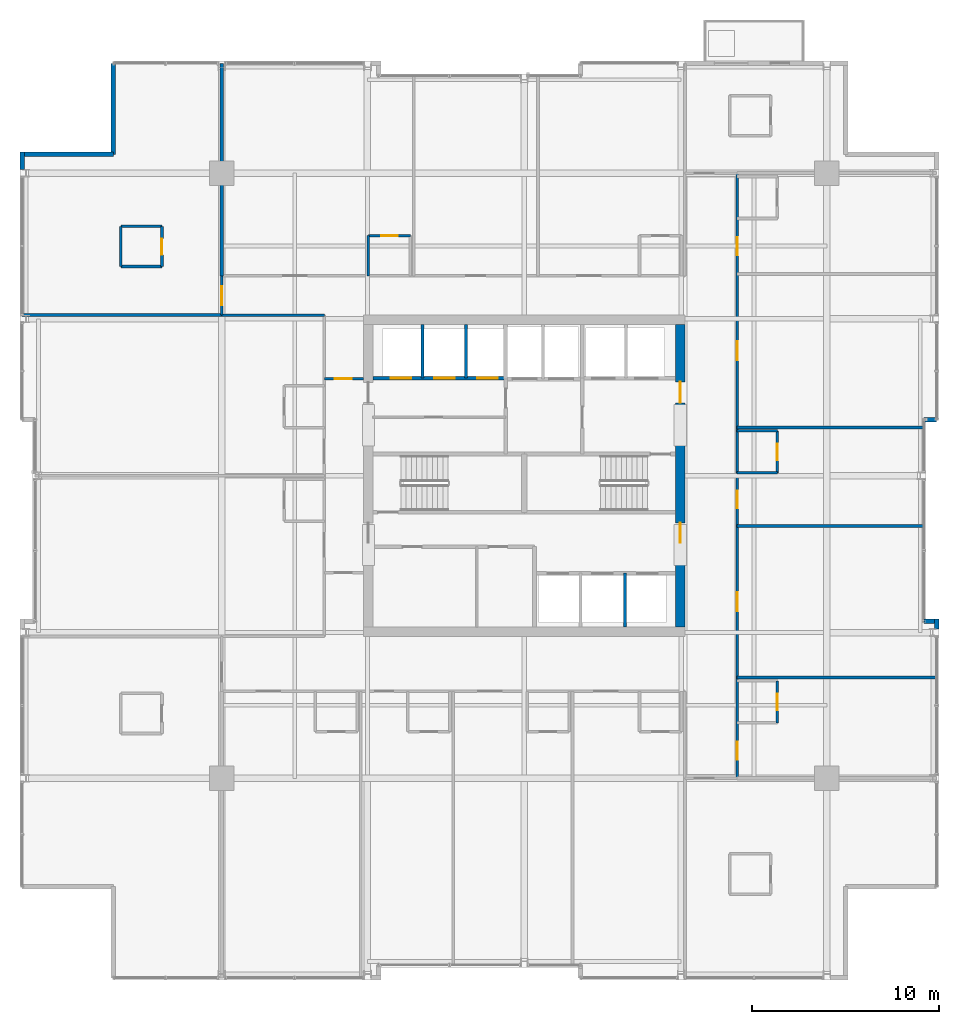
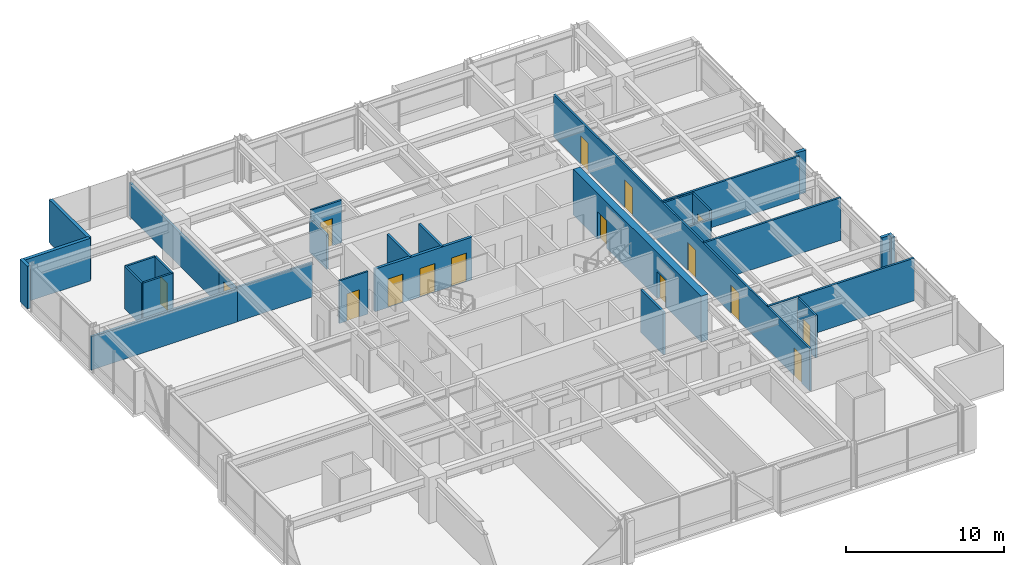
# One storey, part 29 of 34: 30 walls, 16 doors, 16 openings.
"""IFC4 building model written with IfcOpenShell, lengths in metres."""

from ifc_helpers import new_model, si_unit, direction, frame, frame_2d, origin, place, context, subcontext, project, spatial, rectangle, extrude, material, layer, layer_set, type_object, element, fill, save


model = new_model("IFC4")

# Units and contexts
model_context = context("Model", 3, precision=1e-05, world=origin(), true_north=direction((0.0, 1.0)))
body_context = subcontext(model_context, "Body", "Model", "MODEL_VIEW")
ifc_project = project(units=[si_unit("LENGTHUNIT", "METRE"), si_unit("AREAUNIT", "SQUARE_METRE"), si_unit("VOLUMEUNIT", "CUBIC_METRE"), si_unit("PLANEANGLEUNIT", "RADIAN"), si_unit("MASSUNIT", "GRAM", prefix="KILO")], contexts=[model_context])

# Site, building, storey
site_placement = place(None, origin())
site = spatial("IfcSite", under=ifc_project, at=site_placement, CompositionType="ELEMENT")
building_placement = place(site_placement, origin())
building = spatial("IfcBuilding", under=site, at=building_placement, Name="Drelvath Grand Hotel", CompositionType="ELEMENT")
storey_placement = place(building_placement, frame((0.0, 0.0, 175.25)))
storey = spatial("IfcBuildingStorey", under=building, at=storey_placement, Name="L45", CompositionType="ELEMENT", Elevation=175.25)

# Wall, openings, doors
ifc_material_1 = material(Name="Concrete C40/50", Category="concrete")
ifc_layer_1 = layer(ifc_material_1, 0.199951171875)
ifc_layer_set_1 = layer_set([ifc_layer_1], Name="Concrete C40/50")
wall_type_1 = type_object("IfcWallType", Name="Core Hoistway Fire Wall 200", PredefinedType="SOLIDWALL", material=ifc_layer_set_1)
wall_1_placement = place(storey_placement, frame((-8.10009765625, 32.219970703125, 0.0), z_axis=(0.0, 0.0, 1.0), x_axis=(1.0, 0.0, 0.0)))
wall_1 = element("IfcWall", 1, at=wall_1_placement, inside=storey, type_object=wall_type_1, Name="L45 Bank 3 Hoistway Wall", PredefinedType="SOLIDWALL", context=body_context, shape_type="SweptSolid", body=[
    extrude(rectangle(XDim=7.10009765625, YDim=0.199951171875, at=frame_2d((3.550048828125, 0.0))), origin(), (0.0, 0.0, 1.0), 3.2900390625),
])
opening_1_placement = place(wall_1_placement, frame((0.949951171875, 0.0, 0.0)))
opening_1 = element("IfcOpeningElement", 2, at=opening_1_placement, cuts=wall_1, Name="Opening LD-PE-7", PredefinedType="OPENING", context=body_context, shape_type="SweptSolid", body=[
    extrude(rectangle(XDim=1.10009765625, YDim=2.199951171875, at=frame_2d((0.550048828125, 1.10009765625))), frame((0.0, 0.10986328125, 0.0), z_axis=(0.0, -1.0, 0.0), x_axis=(1.0, 0.0, 0.0)), (0.0, 0.0, 1.0), 0.219970703125),
])
opening_2_placement = place(wall_1_placement, frame((3.27001953125, 0.0, 0.0)))
opening_2 = element("IfcOpeningElement", 3, at=opening_2_placement, cuts=wall_1, Name="Opening LD-PE-8", PredefinedType="OPENING", context=body_context, shape_type="SweptSolid", body=[
    extrude(rectangle(XDim=1.10009765625, YDim=2.199951171875, at=frame_2d((0.550048828125, 1.10009765625))), frame((0.0, 0.10986328125, 0.0), z_axis=(0.0, -1.0, 0.0), x_axis=(1.0, 0.0, 0.0)), (0.0, 0.0, 1.0), 0.219970703125),
])
opening_3_placement = place(wall_1_placement, frame((5.590087890625, 0.0, 0.0)))
opening_3 = element("IfcOpeningElement", 4, at=opening_3_placement, cuts=wall_1, Name="Opening LD-PE-9", PredefinedType="OPENING", context=body_context, shape_type="SweptSolid", body=[
    extrude(rectangle(XDim=1.10009765625, YDim=2.199951171875, at=frame_2d((0.550048828125, 1.10009765625))), frame((0.0, 0.10986328125, 0.0), z_axis=(0.0, -1.0, 0.0), x_axis=(1.0, 0.0, 0.0)), (0.0, 0.0, 1.0), 0.219970703125),
])
ifc_material_2 = material(Name="Stainless Steel S355", Category="steel")
door_type_1 = type_object("IfcDoorType", Name="Passenger Lift Sliding Landing Door 1100x2200", OperationType="NOTDEFINED", PredefinedType="DOOR", material=ifc_material_2)
door_1_placement = place(opening_1_placement, origin())
door_1 = element("IfcDoor", 5, at=door_1_placement, inside=storey, type_object=door_type_1, Name="L45 Lift PE-7 Landing Door", OperationType="SLIDING_TO_LEFT", OverallHeight=2.199951171875, OverallWidth=1.10009765625, PredefinedType="DOOR", context=body_context, shape_type="SweptSolid", body=[
    extrude(rectangle(XDim=1.10009765625, YDim=2.199951171875, at=frame_2d((0.550048828125, 1.10009765625))), frame((0.0, 0.02490234375, 0.0), z_axis=(0.0, -1.0, 0.0), x_axis=(1.0, 0.0, 0.0)), (0.0, 0.0, 1.0), 0.050048828125),
])
fill(opening_1, door_1)
door_2_placement = place(opening_2_placement, origin())
door_2 = element("IfcDoor", 6, at=door_2_placement, inside=storey, type_object=door_type_1, Name="L45 Lift PE-8 Landing Door", OperationType="SLIDING_TO_LEFT", OverallHeight=2.199951171875, OverallWidth=1.10009765625, PredefinedType="DOOR", context=body_context, shape_type="SweptSolid", body=[
    extrude(rectangle(XDim=1.10009765625, YDim=2.199951171875, at=frame_2d((0.550048828125, 1.10009765625))), frame((0.0, 0.02490234375, 0.0), z_axis=(0.0, -1.0, 0.0), x_axis=(1.0, 0.0, 0.0)), (0.0, 0.0, 1.0), 0.050048828125),
])
fill(opening_2, door_2)
door_3_placement = place(opening_3_placement, origin())
door_3 = element("IfcDoor", 7, at=door_3_placement, inside=storey, type_object=door_type_1, Name="L45 Lift PE-9 Landing Door", OperationType="SLIDING_TO_LEFT", OverallHeight=2.199951171875, OverallWidth=1.10009765625, PredefinedType="DOOR", context=body_context, shape_type="SweptSolid", body=[
    extrude(rectangle(XDim=1.10009765625, YDim=2.199951171875, at=frame_2d((0.550048828125, 1.10009765625))), frame((0.0, 0.02490234375, 0.0), z_axis=(0.0, -1.0, 0.0), x_axis=(1.0, 0.0, 0.0)), (0.0, 0.0, 1.0), 0.050048828125),
])
fill(opening_3, door_3)

# Walls
ifc_material_3 = material(Name="Gypsum Fireboard Partition")
ifc_layer_2 = layer(ifc_material_3, 0.1650390625)
ifc_layer_set_2 = layer_set([ifc_layer_2], Name="Gypsum Fireboard Partition")
wall_type_2 = type_object("IfcWallType", Name="Core Shaft Partition 165", PredefinedType="PARTITIONING", material=ifc_layer_set_2)
for number, where, z_axis, x_axis, name in (
    (8, (-5.43994140625, 32.219970703125, 0.0), (0.0, 0.0, 1.0), (0.0, 1.0, 0.0), "L45 Lift PE-7/8 Divider"),
    (9, (-3.1201171875, 32.219970703125, 0.0), (0.0, 0.0, 1.0), (0.0, 1.0, 0.0), "L45 Lift PE-8/9 Divider"),
    (10, (5.39990234375, 18.89990234375, 0.0), (0.0, 0.0, 1.0), (0.0, 1.0, 0.0), "L45 Lift PE-5/6 Divider"),
):
    element("IfcWall", number, at=place(storey_placement, frame(where, z_axis=z_axis, x_axis=x_axis)), inside=storey, type_object=wall_type_2, Name=name, PredefinedType="PARTITIONING", context=body_context, shape_type="SweptSolid", body=[
        extrude(rectangle(XDim=2.880126953125, YDim=0.1650390625, at=frame_2d((1.43994140625, 0.0))), origin(), (0.0, 0.0, 1.0), 3.2900390625),
    ])

# Wall, opening, door
ifc_layer_3 = layer(ifc_material_3, 0.135009765625)
ifc_layer_set_3 = layer_set([ifc_layer_3], Name="Gypsum Fireboard Partition")
wall_type_3 = type_object("IfcWallType", Name="Corridor Fire Barrier Wall 135", PredefinedType="PARTITIONING", material=ifc_layer_set_3)
wall_2_placement = place(storey_placement, frame((-10.699951171875, 32.199951171875, 0.0), z_axis=(0.0, 0.0, 1.0), x_axis=(1.0, 0.0, 0.0)))
wall_2 = element("IfcWall", 11, at=wall_2_placement, inside=storey, type_object=wall_type_3, Name="L45 West Foyer North Wall", PredefinedType="PARTITIONING", context=body_context, shape_type="SweptSolid", body=[
    extrude(rectangle(XDim=2.099853515625, YDim=0.135009765625, at=frame_2d((1.0498046875, 0.0))), origin(), (0.0, 0.0, 1.0), 3.2900390625),
])
opening_4_placement = place(wall_2_placement, frame((0.550048828125, 0.0, 0.0)))
opening_4 = element("IfcOpeningElement", 12, at=opening_4_placement, cuts=wall_2, Name="Opening D-T3G3-023", PredefinedType="OPENING", context=body_context, shape_type="SweptSolid", body=[
    extrude(rectangle(XDim=0.919921875, YDim=2.10009765625, at=frame_2d((0.4599609375, 1.050048828125))), frame((0.0, 0.077392578125, 0.0), z_axis=(0.0, -1.0, 0.0), x_axis=(1.0, 0.0, 0.0)), (0.0, 0.0, 1.0), 0.155029296875),
])
ifc_material_4 = material(Name="Painted Steel S275", Category="steel")
door_type_2 = type_object("IfcDoorType", Name="Staff Utility Door 920x2100", OperationType="NOTDEFINED", PredefinedType="DOOR", material=ifc_material_4)
door_4_placement = place(opening_4_placement, origin())
door_4 = element("IfcDoor", 13, at=door_4_placement, inside=storey, type_object=door_type_2, Name="L45 West Pantry Door", OperationType="SINGLE_SWING_LEFT", OverallHeight=2.10009765625, OverallWidth=0.919921875, PredefinedType="DOOR", context=body_context, shape_type="SweptSolid", body=[
    extrude(rectangle(XDim=0.919921875, YDim=2.10009765625, at=frame_2d((0.4599609375, 1.050048828125))), frame((0.0, 0.02490234375, 0.0), z_axis=(0.0, -1.0, 0.0), x_axis=(1.0, 0.0, 0.0)), (0.0, 0.0, 1.0), 0.050048828125),
])
fill(opening_4, door_4)

# Wall
wall_3_placement = place(storey_placement, frame((-16.199951171875, 35.60009765625, 0.0), z_axis=(0.0, 0.0, 1.0), x_axis=(1.0, 0.0, 0.0)))
element("IfcWall", 14, at=wall_3_placement, inside=storey, type_object=wall_type_3, Name="L45 NW Stub South Wall", PredefinedType="PARTITIONING", context=body_context, shape_type="SweptSolid", body=[
    extrude(rectangle(XDim=5.5, YDim=0.135009765625, at=frame_2d((2.75, 0.0))), origin(), (0.0, 0.0, 1.0), 2.66748046875),
])

# Wall, openings, doors
wall_4_placement = place(storey_placement, frame((11.39990234375, 10.800048828125, 0.0), z_axis=(0.0, 0.0, 1.0), x_axis=(0.0, 1.0, 0.0)))
wall_4 = element("IfcWall", 15, at=wall_4_placement, inside=storey, type_object=wall_type_3, Name="L45 East Spine Corridor Wall", PredefinedType="PARTITIONING", context=body_context, shape_type="SweptSolid", body=[
    extrude(rectangle(XDim=32.39990234375, YDim=0.135009765625, at=frame_2d((16.199951171875, 0.0))), origin(), (0.0, 0.0, 1.0), 3.2900390625),
])
opening_5_placement = place(wall_4_placement, frame((1.0048828125, 0.0, 0.0)))
opening_5 = element("IfcOpeningElement", 16, at=opening_5_placement, cuts=wall_4, Name="Opening D-T3G3-046", PredefinedType="OPENING", context=body_context, shape_type="SweptSolid", body=[
    extrude(rectangle(XDim=0.9599609375, YDim=2.14990234375, at=frame_2d((0.47998046875, 1.074951171875))), frame((0.0, 0.077392578125, 0.0), z_axis=(0.0, -1.0, 0.0), x_axis=(1.0, 0.0, 0.0)), (0.0, 0.0, 1.0), 0.155029296875),
])
opening_6_placement = place(wall_4_placement, frame((8.93994140625, 0.0, 0.0)))
opening_6 = element("IfcOpeningElement", 17, at=opening_6_placement, cuts=wall_4, Name="Opening D-T3G3-047", PredefinedType="OPENING", context=body_context, shape_type="SweptSolid", body=[
    extrude(rectangle(XDim=1.02001953125, YDim=2.14990234375, at=frame_2d((0.510009765625, 1.074951171875))), frame((0.0, 0.077392578125, 0.0), z_axis=(0.0, -1.0, 0.0), x_axis=(1.0, 0.0, 0.0)), (0.0, 0.0, 1.0), 0.155029296875),
])
opening_7_placement = place(wall_4_placement, frame((14.445068359375, 0.0, 0.0)))
opening_7 = element("IfcOpeningElement", 18, at=opening_7_placement, cuts=wall_4, Name="Opening D-T3G3-049", PredefinedType="OPENING", context=body_context, shape_type="SweptSolid", body=[
    extrude(rectangle(XDim=0.9599609375, YDim=2.14990234375, at=frame_2d((0.47998046875, 1.074951171875))), frame((0.0, 0.077392578125, 0.0), z_axis=(0.0, -1.0, 0.0), x_axis=(1.0, 0.0, 0.0)), (0.0, 0.0, 1.0), 0.155029296875),
])
opening_8_placement = place(wall_4_placement, frame((22.3798828125, 0.0, 0.0)))
opening_8 = element("IfcOpeningElement", 19, at=opening_8_placement, cuts=wall_4, Name="Opening D-T3G3-050", PredefinedType="OPENING", context=body_context, shape_type="SweptSolid", body=[
    extrude(rectangle(XDim=1.02001953125, YDim=2.14990234375, at=frame_2d((0.510009765625, 1.074951171875))), frame((0.0, 0.077392578125, 0.0), z_axis=(0.0, -1.0, 0.0), x_axis=(1.0, 0.0, 0.0)), (0.0, 0.0, 1.0), 0.155029296875),
])
opening_9_placement = place(wall_4_placement, frame((28.0048828125, 0.0, 0.0)))
opening_9 = element("IfcOpeningElement", 20, at=opening_9_placement, cuts=wall_4, Name="Opening D-T3G3-052", PredefinedType="OPENING", context=body_context, shape_type="SweptSolid", body=[
    extrude(rectangle(XDim=0.9599609375, YDim=2.14990234375, at=frame_2d((0.47998046875, 1.074951171875))), frame((0.0, 0.077392578125, 0.0), z_axis=(0.0, -1.0, 0.0), x_axis=(1.0, 0.0, 0.0)), (0.0, 0.0, 1.0), 0.155029296875),
])
ifc_material_5 = material(Name="Hardwood Walnut Timber", Category="wood")
door_type_3 = type_object("IfcDoorType", Name="Amenity Meeting Fire Door 1020x2150", OperationType="NOTDEFINED", PredefinedType="DOOR", material=ifc_material_5)
door_5_placement = place(opening_6_placement, origin())
door_5 = element("IfcDoor", 21, at=door_5_placement, inside=storey, type_object=door_type_3, Name="L45 Private Study Room Entry Door", OperationType="SINGLE_SWING_LEFT", OverallHeight=2.14990234375, OverallWidth=1.02001953125, PredefinedType="DOOR", context=body_context, shape_type="SweptSolid", body=[
    extrude(rectangle(XDim=1.02001953125, YDim=2.14990234375, at=frame_2d((0.510009765625, 1.074951171875))), frame((0.0, 0.02490234375, 0.0), z_axis=(0.0, -1.0, 0.0), x_axis=(1.0, 0.0, 0.0)), (0.0, 0.0, 1.0), 0.050048828125),
])
fill(opening_6, door_5)
door_6_placement = place(opening_8_placement, origin())
door_6 = element("IfcDoor", 22, at=door_6_placement, inside=storey, type_object=door_type_3, Name="L45 Guest Relations Office Entry Door", OperationType="SINGLE_SWING_RIGHT", OverallHeight=2.14990234375, OverallWidth=1.02001953125, PredefinedType="DOOR", context=body_context, shape_type="SweptSolid", body=[
    extrude(rectangle(XDim=1.02001953125, YDim=2.14990234375, at=frame_2d((0.510009765625, 1.074951171875))), frame((0.0, 0.02490234375, 0.0), z_axis=(0.0, -1.0, 0.0), x_axis=(1.0, 0.0, 0.0)), (0.0, 0.0, 1.0), 0.050048828125),
])
fill(opening_8, door_6)
door_type_4 = type_object("IfcDoorType", Name="Guestroom Entrance Fire Door 960x2150", OperationType="NOTDEFINED", PredefinedType="DOOR", material=ifc_material_5)
door_7_placement = place(opening_5_placement, origin())
door_7 = element("IfcDoor", 23, at=door_7_placement, inside=storey, type_object=door_type_4, Name="L45 King Guest Room Entry Door", OperationType="SINGLE_SWING_RIGHT", OverallHeight=2.14990234375, OverallWidth=0.9599609375, PredefinedType="DOOR", context=body_context, shape_type="SweptSolid", body=[
    extrude(rectangle(XDim=0.9599609375, YDim=2.14990234375, at=frame_2d((0.47998046875, 1.074951171875))), frame((0.0, 0.02490234375, 0.0), z_axis=(0.0, -1.0, 0.0), x_axis=(1.0, 0.0, 0.0)), (0.0, 0.0, 1.0), 0.050048828125),
])
fill(opening_5, door_7)
door_8_placement = place(opening_7_placement, origin())
door_8 = element("IfcDoor", 24, at=door_8_placement, inside=storey, type_object=door_type_4, Name="L45 King Guest Room Entry Door", OperationType="SINGLE_SWING_LEFT", OverallHeight=2.14990234375, OverallWidth=0.9599609375, PredefinedType="DOOR", context=body_context, shape_type="SweptSolid", body=[
    extrude(rectangle(XDim=0.9599609375, YDim=2.14990234375, at=frame_2d((0.47998046875, 1.074951171875))), frame((0.0, 0.02490234375, 0.0), z_axis=(0.0, -1.0, 0.0), x_axis=(1.0, 0.0, 0.0)), (0.0, 0.0, 1.0), 0.050048828125),
])
fill(opening_7, door_8)
door_9_placement = place(opening_9_placement, origin())
door_9 = element("IfcDoor", 25, at=door_9_placement, inside=storey, type_object=door_type_4, Name="L45 King Guest Room Entry Door", OperationType="SINGLE_SWING_RIGHT", OverallHeight=2.14990234375, OverallWidth=0.9599609375, PredefinedType="DOOR", context=body_context, shape_type="SweptSolid", body=[
    extrude(rectangle(XDim=0.9599609375, YDim=2.14990234375, at=frame_2d((0.47998046875, 1.074951171875))), frame((0.0, 0.02490234375, 0.0), z_axis=(0.0, -1.0, 0.0), x_axis=(1.0, 0.0, 0.0)), (0.0, 0.0, 1.0), 0.050048828125),
])
fill(opening_9, door_9)

# Wall, opening, door
wall_5_placement = place(storey_placement, frame((-16.199951171875, 35.60009765625, 0.0), z_axis=(0.0, 0.0, 1.0), x_axis=(0.0, 1.0, 0.0)))
wall_5 = element("IfcWall", 26, at=wall_5_placement, inside=storey, type_object=wall_type_3, Name="L45 North Stub West End", PredefinedType="PARTITIONING", context=body_context, shape_type="SweptSolid", body=[
    extrude(rectangle(XDim=2.099853515625, YDim=0.135009765625, at=frame_2d((1.0498046875, 0.0))), origin(), (0.0, 0.0, 1.0), 2.57958984375),
])
opening_10_placement = place(wall_5_placement, frame((0.52001953125, 0.0, 0.0)))
opening_10 = element("IfcOpeningElement", 27, at=opening_10_placement, cuts=wall_5, Name="Opening D-T3G3-027", PredefinedType="OPENING", context=body_context, shape_type="SweptSolid", body=[
    extrude(rectangle(XDim=1.02001953125, YDim=2.14990234375, at=frame_2d((0.510009765625, 1.074951171875))), frame((0.0, 0.077392578125, 0.0), z_axis=(0.0, -1.0, 0.0), x_axis=(1.0, 0.0, 0.0)), (0.0, 0.0, 1.0), 0.155029296875),
])
door_10_placement = place(opening_10_placement, origin())
door_10 = element("IfcDoor", 28, at=door_10_placement, inside=storey, type_object=door_type_3, Name="L45 Executive Suite Entry Door", OperationType="SINGLE_SWING_LEFT", OverallHeight=2.14990234375, OverallWidth=1.02001953125, PredefinedType="DOOR", context=body_context, shape_type="SweptSolid", body=[
    extrude(rectangle(XDim=1.02001953125, YDim=2.14990234375, at=frame_2d((0.510009765625, 1.074951171875))), frame((0.0, 0.02490234375, 0.0), z_axis=(0.0, -1.0, 0.0), x_axis=(1.0, 0.0, 0.0)), (0.0, 0.0, 1.0), 0.050048828125),
])
fill(opening_10, door_10)

# Walls
ifc_material_6 = material(Name="Moisture-Resistant Gypsum Board")
ifc_layer_4 = layer(ifc_material_6, 0.139892578125)
ifc_layer_set_4 = layer_set([ifc_layer_4], Name="Moisture-Resistant Gypsum Board")
wall_type_4 = type_object("IfcWallType", Name="En-Suite Plumbing Wall 140", PredefinedType="PLUMBINGWALL", material=ifc_layer_set_4)
for number, where, z_axis, x_axis, name in (
    (29, (-21.60009765625, 38.199951171875, 0.0), (0.0, 0.0, 1.0), (1.0, 0.0, 0.0), "L45 Corner En-Suite South"),
    (30, (-21.60009765625, 40.35009765625, 0.0), (0.0, 0.0, 1.0), (1.0, 0.0, 0.0), "L45 Corner En-Suite North"),
):
    element("IfcWall", number, at=place(storey_placement, frame(where, z_axis=z_axis, x_axis=x_axis)), inside=storey, type_object=wall_type_4, Name=name, PredefinedType="PLUMBINGWALL", context=body_context, shape_type="SweptSolid", body=[
        extrude(rectangle(XDim=2.2001953125, YDim=0.139892578125, at=frame_2d((1.10009765625, 0.0))), origin(), (0.0, 0.0, 1.0), 3.2900390625),
    ])
wall_6_placement = place(storey_placement, frame((-21.60009765625, 38.199951171875, 0.0), z_axis=(0.0, 0.0, 1.0), x_axis=(0.0, 1.0, 0.0)))
element("IfcWall", 31, at=wall_6_placement, inside=storey, type_object=wall_type_4, Name="L45 Corner En-Suite West", PredefinedType="PLUMBINGWALL", context=body_context, shape_type="SweptSolid", body=[
    extrude(rectangle(XDim=2.150146484375, YDim=0.139892578125, at=frame_2d((1.0751953125, 0.0))), origin(), (0.0, 0.0, 1.0), 3.2900390625),
])

# Wall, opening, door
wall_7_placement = place(storey_placement, frame((-19.39990234375, 38.199951171875, 0.0), z_axis=(0.0, 0.0, 1.0), x_axis=(0.0, 1.0, 0.0)))
wall_7 = element("IfcWall", 32, at=wall_7_placement, inside=storey, type_object=wall_type_4, Name="L45 Corner En-Suite East", PredefinedType="PLUMBINGWALL", context=body_context, shape_type="SweptSolid", body=[
    extrude(rectangle(XDim=2.150146484375, YDim=0.139892578125, at=frame_2d((1.0751953125, 0.0))), origin(), (0.0, 0.0, 1.0), 3.2900390625),
])
opening_11_placement = place(wall_7_placement, frame((0.6201171875, 0.0, 0.0)))
opening_11 = element("IfcOpeningElement", 33, at=opening_11_placement, cuts=wall_7, Name="Opening D-T3G3-026", PredefinedType="OPENING", context=body_context, shape_type="SweptSolid", body=[
    extrude(rectangle(XDim=0.8798828125, YDim=2.10009765625, at=frame_2d((0.43994140625, 1.050048828125))), frame((0.0, 0.079833984375, 0.0), z_axis=(0.0, -1.0, 0.0), x_axis=(1.0, 0.0, 0.0)), (0.0, 0.0, 1.0), 0.159912109375),
])
door_type_5 = type_object("IfcDoorType", Name="En-Suite Bathroom Door 880x2100", OperationType="NOTDEFINED", PredefinedType="DOOR", material=ifc_material_5)
door_11_placement = place(opening_11_placement, origin())
door_11 = element("IfcDoor", 34, at=door_11_placement, inside=storey, type_object=door_type_5, Name="L45 Corner En-Suite Door", OperationType="SINGLE_SWING_RIGHT", OverallHeight=2.10009765625, OverallWidth=0.8798828125, PredefinedType="DOOR", context=body_context, shape_type="SweptSolid", body=[
    extrude(rectangle(XDim=0.8798828125, YDim=2.10009765625, at=frame_2d((0.43994140625, 1.050048828125))), frame((0.0, 0.02490234375, 0.0), z_axis=(0.0, -1.0, 0.0), x_axis=(1.0, 0.0, 0.0)), (0.0, 0.0, 1.0), 0.050048828125),
])
fill(opening_11, door_11)

# Wall
wall_8_placement = place(storey_placement, frame((-8.34716796875, 37.699951171875, 0.0), z_axis=(0.0, 0.0, 1.0), x_axis=(0.0, 1.0, 0.0)))
element("IfcWall", 35, at=wall_8_placement, inside=storey, type_object=wall_type_4, Name="L45 En-Suite Left Wall", PredefinedType="PLUMBINGWALL", context=body_context, shape_type="SweptSolid", body=[
    extrude(rectangle(XDim=2.150146484375, YDim=0.139892578125, at=frame_2d((1.0751953125, 0.0))), origin(), (0.0, 0.0, 1.0), 2.66748046875),
])

# Wall, opening, door
wall_9_placement = place(storey_placement, frame((-8.34716796875, 39.85009765625, 0.0), z_axis=(0.0, 0.0, 1.0), x_axis=(1.0, 0.0, 0.0)))
wall_9 = element("IfcWall", 36, at=wall_9_placement, inside=storey, type_object=wall_type_4, Name="L45 En-Suite Front Wall", PredefinedType="PLUMBINGWALL", context=body_context, shape_type="SweptSolid", body=[
    extrude(rectangle(XDim=2.25, YDim=0.139892578125, at=frame_2d((1.125, 0.0))), origin(), (0.0, 0.0, 1.0), 3.2900390625),
])
opening_12_placement = place(wall_9_placement, frame((0.68505859375, 0.0, 0.0)))
opening_12 = element("IfcOpeningElement", 37, at=opening_12_placement, cuts=wall_9, Name="Opening D-T3G3-040", PredefinedType="OPENING", context=body_context, shape_type="SweptSolid", body=[
    extrude(rectangle(XDim=0.8798828125, YDim=2.10009765625, at=frame_2d((0.43994140625, 1.050048828125))), frame((0.0, 0.079833984375, 0.0), z_axis=(0.0, -1.0, 0.0), x_axis=(1.0, 0.0, 0.0)), (0.0, 0.0, 1.0), 0.159912109375),
])
door_12_placement = place(opening_12_placement, origin())
door_12 = element("IfcDoor", 38, at=door_12_placement, inside=storey, type_object=door_type_5, Name="L45 En-Suite Bathroom Door", OperationType="SINGLE_SWING_RIGHT", OverallHeight=2.10009765625, OverallWidth=0.8798828125, PredefinedType="DOOR", context=body_context, shape_type="SweptSolid", body=[
    extrude(rectangle(XDim=0.8798828125, YDim=2.10009765625, at=frame_2d((0.43994140625, 1.050048828125))), frame((0.0, 0.02490234375, 0.0), z_axis=(0.0, -1.0, 0.0), x_axis=(1.0, 0.0, 0.0)), (0.0, 0.0, 1.0), 0.050048828125),
])
fill(opening_12, door_12)

wall_10_placement = place(storey_placement, frame((13.550048828125, 13.77001953125, 0.0), z_axis=(0.0, 0.0, 1.0), x_axis=(0.0, 1.0, 0.0)))
wall_10 = element("IfcWall", 39, at=wall_10_placement, inside=storey, type_object=wall_type_4, Name="L45 En-Suite Front Wall", PredefinedType="PLUMBINGWALL", context=body_context, shape_type="SweptSolid", body=[
    extrude(rectangle(XDim=2.25, YDim=0.139892578125, at=frame_2d((1.125, 0.0))), origin(), (0.0, 0.0, 1.0), 3.2900390625),
])
opening_13_placement = place(wall_10_placement, frame((0.68505859375, 0.0, 0.0)))
opening_13 = element("IfcOpeningElement", 40, at=opening_13_placement, cuts=wall_10, Name="Opening D-T3G3-045", PredefinedType="OPENING", context=body_context, shape_type="SweptSolid", body=[
    extrude(rectangle(XDim=0.8798828125, YDim=2.10009765625, at=frame_2d((0.43994140625, 1.050048828125))), frame((0.0, 0.079833984375, 0.0), z_axis=(0.0, -1.0, 0.0), x_axis=(1.0, 0.0, 0.0)), (0.0, 0.0, 1.0), 0.159912109375),
])
door_13_placement = place(opening_13_placement, origin())
door_13 = element("IfcDoor", 41, at=door_13_placement, inside=storey, type_object=door_type_5, Name="L45 En-Suite Bathroom Door", OperationType="SINGLE_SWING_LEFT", OverallHeight=2.10009765625, OverallWidth=0.8798828125, PredefinedType="DOOR", context=body_context, shape_type="SweptSolid", body=[
    extrude(rectangle(XDim=0.8798828125, YDim=2.10009765625, at=frame_2d((0.43994140625, 1.050048828125))), frame((0.0, 0.02490234375, 0.0), z_axis=(0.0, -1.0, 0.0), x_axis=(1.0, 0.0, 0.0)), (0.0, 0.0, 1.0), 0.050048828125),
])
fill(opening_13, door_13)

# Walls
wall_11_placement = place(storey_placement, frame((11.39990234375, 27.14990234375, 0.0), z_axis=(0.0, 0.0, 1.0), x_axis=(1.0, 0.0, 0.0)))
element("IfcWall", 42, at=wall_11_placement, inside=storey, type_object=wall_type_4, Name="L45 En-Suite Left Wall", PredefinedType="PLUMBINGWALL", context=body_context, shape_type="SweptSolid", body=[
    extrude(rectangle(XDim=2.150146484375, YDim=0.139892578125, at=frame_2d((1.0751953125, 0.0))), origin(), (0.0, 0.0, 1.0), 2.66748046875),
])
wall_12_placement = place(storey_placement, frame((11.39990234375, 29.39990234375, 0.0), z_axis=(0.0, 0.0, 1.0), x_axis=(1.0, 0.0, 0.0)))
element("IfcWall", 43, at=wall_12_placement, inside=storey, type_object=wall_type_4, Name="L45 En-Suite Right Wall", PredefinedType="PLUMBINGWALL", context=body_context, shape_type="SweptSolid", body=[
    extrude(rectangle(XDim=2.150146484375, YDim=0.139892578125, at=frame_2d((1.0751953125, 0.0))), origin(), (0.0, 0.0, 1.0), 3.2900390625),
])

# Wall, opening, door
wall_13_placement = place(storey_placement, frame((13.550048828125, 27.14990234375, 0.0), z_axis=(0.0, 0.0, 1.0), x_axis=(0.0, 1.0, 0.0)))
wall_13 = element("IfcWall", 44, at=wall_13_placement, inside=storey, type_object=wall_type_4, Name="L45 En-Suite Front Wall", PredefinedType="PLUMBINGWALL", context=body_context, shape_type="SweptSolid", body=[
    extrude(rectangle(XDim=2.25, YDim=0.139892578125, at=frame_2d((1.125, 0.0))), origin(), (0.0, 0.0, 1.0), 3.2900390625),
])
opening_14_placement = place(wall_13_placement, frame((0.68505859375, 0.0, 0.0)))
opening_14 = element("IfcOpeningElement", 45, at=opening_14_placement, cuts=wall_13, Name="Opening D-T3G3-048", PredefinedType="OPENING", context=body_context, shape_type="SweptSolid", body=[
    extrude(rectangle(XDim=0.8798828125, YDim=2.10009765625, at=frame_2d((0.43994140625, 1.050048828125))), frame((0.0, 0.079833984375, 0.0), z_axis=(0.0, -1.0, 0.0), x_axis=(1.0, 0.0, 0.0)), (0.0, 0.0, 1.0), 0.159912109375),
])
door_14_placement = place(opening_14_placement, origin())
door_14 = element("IfcDoor", 46, at=door_14_placement, inside=storey, type_object=door_type_5, Name="L45 En-Suite Bathroom Door", OperationType="SINGLE_SWING_RIGHT", OverallHeight=2.10009765625, OverallWidth=0.8798828125, PredefinedType="DOOR", context=body_context, shape_type="SweptSolid", body=[
    extrude(rectangle(XDim=0.8798828125, YDim=2.10009765625, at=frame_2d((0.43994140625, 1.050048828125))), frame((0.0, 0.02490234375, 0.0), z_axis=(0.0, -1.0, 0.0), x_axis=(1.0, 0.0, 0.0)), (0.0, 0.0, 1.0), 0.050048828125),
])
fill(opening_14, door_14)

# Walls
ifc_material_7 = material(Name="Gypsum Acoustic Partition")
ifc_layer_5 = layer(ifc_material_7, 0.14990234375)
ifc_layer_set_5 = layer_set([ifc_layer_5], Name="Gypsum Acoustic Partition")
wall_type_5 = type_object("IfcWallType", Name="Guestroom Demising Wall 150", PredefinedType="PARTITIONING", material=ifc_layer_set_5)
wall_14_placement = place(storey_placement, frame((11.39990234375, 16.199951171875, 0.0), z_axis=(0.0, 0.0, 1.0), x_axis=(1.0, 0.0, 0.0)))
element("IfcWall", 47, at=wall_14_placement, inside=storey, type_object=wall_type_5, Name="L45 East Demising 1", PredefinedType="PARTITIONING", context=body_context, shape_type="SweptSolid", body=[
    extrude(rectangle(XDim=10.68017578125, YDim=0.14990234375, at=frame_2d((5.340087890625, 0.0))), origin(), (0.0, 0.0, 1.0), 3.2900390625),
])
for number, where, z_axis, x_axis, name in (
    (48, (11.39990234375, 24.300048828125, 0.0), (0.0, 0.0, 1.0), (1.0, 0.0, 0.0), "L45 East Demising 2"),
    (49, (11.39990234375, 29.580078125, 0.0), (0.0, 0.0, 1.0), (1.0, 0.0, 0.0), "L45 East Demising 3"),
):
    element("IfcWall", number, at=place(storey_placement, frame(where, z_axis=z_axis, x_axis=x_axis)), inside=storey, type_object=wall_type_5, Name=name, PredefinedType="PARTITIONING", context=body_context, shape_type="SweptSolid", body=[
        extrude(rectangle(XDim=10.0, YDim=0.14990234375, at=frame_2d((5.0, 0.0))), origin(), (0.0, 0.0, 1.0), 3.2900390625),
    ])
ifc_layer_6 = layer(ifc_material_7, 0.1650390625)
ifc_layer_set_6 = layer_set([ifc_layer_6], Name="Gypsum Acoustic Partition")
wall_type_6 = type_object("IfcWallType", Name="Suite Demising Wall 165", PredefinedType="PARTITIONING", material=ifc_layer_set_6)
wall_15_placement = place(storey_placement, frame((-16.199951171875, 37.699951171875, 0.0), z_axis=(0.0, 0.0, 1.0), x_axis=(0.0, 1.0, 0.0)))
element("IfcWall", 50, at=wall_15_placement, inside=storey, type_object=wall_type_6, Name="L45 NW Suite East Wall", PredefinedType="PARTITIONING", context=body_context, shape_type="SweptSolid", body=[
    extrude(rectangle(XDim=11.380126953125, YDim=0.1650390625, at=frame_2d((5.68994140625, 0.0))), origin(), (0.0, 0.0, 1.0), 2.57958984375),
])
wall_16_placement = place(storey_placement, frame((-26.8798828125, 35.60009765625, 0.0), z_axis=(0.0, 0.0, 1.0), x_axis=(1.0, 0.0, 0.0)))
element("IfcWall", 51, at=wall_16_placement, inside=storey, type_object=wall_type_6, Name="L45 NW Suite South Wall", PredefinedType="PARTITIONING", context=body_context, shape_type="SweptSolid", body=[
    extrude(rectangle(XDim=10.679931640625, YDim=0.1650390625, at=frame_2d((5.33984375, 0.0))), origin(), (0.0, 0.0, 1.0), 2.57958984375),
])
ifc_material_8 = material(Name="Pale-Metal Insulated Aluminium Spandrel Assembly", Category="aluminium")
ifc_layer_7 = layer(ifc_material_8, 0.239990234375)
ifc_layer_set_7 = layer_set([ifc_layer_7], Name="Pale-Metal Insulated Aluminium Spandrel Assembly")
wall_type_7 = type_object("IfcWallType", Name="Tower Insulated Metal Spandrel Closure Wall 240", PredefinedType="STANDARD", material=ifc_layer_set_7)
wall_17_placement = place(storey_placement, frame((-26.8798828125, 43.400146484375, 0.0), z_axis=(0.0, 0.0, 1.0), x_axis=(0.0, 1.0, 0.0)))
element("IfcWall", 52, at=wall_17_placement, inside=storey, type_object=wall_type_7, Name="L45 Corner Pier Spandrel Wall WN3", PredefinedType="STANDARD", context=body_context, shape_type="SweptSolid", body=[
    extrude(rectangle(XDim=0.919921875, YDim=0.239990234375, at=frame_2d((0.4599609375, 0.0))), origin(), (0.0, 0.0, 1.0), 3.2900390625),
])
wall_18_placement = place(storey_placement, frame((22.080078125, 19.320068359375, 0.0), z_axis=(0.0, 0.0, 1.0), x_axis=(0.0, -1.0, 0.0)))
element("IfcWall", 53, at=wall_18_placement, inside=storey, type_object=wall_type_7, Name="L45 Corner Pier Spandrel Wall ES3", PredefinedType="STANDARD", context=body_context, shape_type="SweptSolid", body=[
    extrude(rectangle(XDim=0.52001953125, YDim=0.239990234375, at=frame_2d((0.260009765625, 0.0))), origin(), (0.0, 0.0, 1.0), 3.2900390625),
])
wall_19_placement = place(storey_placement, frame((-26.760009765625, 44.199951171875, 0.0), z_axis=(0.0, 0.0, 1.0), x_axis=(1.0, 0.0, 0.0)))
element("IfcWall", 54, at=wall_19_placement, inside=storey, type_object=wall_type_7, Name="L45 Notched Corner Return Spandrel Wall CNW1", PredefinedType="STANDARD", context=body_context, shape_type="SweptSolid", body=[
    extrude(rectangle(XDim=4.760009765625, YDim=0.239990234375, at=frame_2d((2.3798828125, 0.0))), origin(), (0.0, 0.0, 1.0), 3.2900390625),
])
wall_20_placement = place(storey_placement, frame((-22.0, 44.199951171875, 0.0), z_axis=(0.0, 0.0, 1.0), x_axis=(0.0, 1.0, 0.0)))
element("IfcWall", 55, at=wall_20_placement, inside=storey, type_object=wall_type_7, Name="L45 Notched Corner Return Spandrel Wall CNW2", PredefinedType="STANDARD", context=body_context, shape_type="SweptSolid", body=[
    extrude(rectangle(XDim=4.880126953125, YDim=0.239990234375, at=frame_2d((2.43994140625, 0.0))), origin(), (0.0, 0.0, 1.0), 3.2900390625),
])
wall_21_placement = place(storey_placement, frame((22.080078125, 30.0, 0.0), z_axis=(0.0, 0.0, 1.0), x_axis=(-1.0, 0.0, 0.0)))
element("IfcWall", 56, at=wall_21_placement, inside=storey, type_object=wall_type_7, Name="L45 Notched Corner Return Spandrel Wall RE1", PredefinedType="STANDARD", context=body_context, shape_type="SweptSolid", body=[
    extrude(rectangle(XDim=0.68017578125, YDim=0.239990234375, at=frame_2d((0.340087890625, 0.0))), origin(), (0.0, 0.0, 1.0), 3.2900390625),
])
wall_22_placement = place(storey_placement, frame((21.39990234375, 19.199951171875, 0.0), z_axis=(0.0, 0.0, 1.0), x_axis=(1.0, 0.0, 0.0)))
element("IfcWall", 57, at=wall_22_placement, inside=storey, type_object=wall_type_7, Name="L45 Notched Corner Return Spandrel Wall RE2", PredefinedType="STANDARD", context=body_context, shape_type="SweptSolid", body=[
    extrude(rectangle(XDim=0.56005859375, YDim=0.239990234375, at=frame_2d((0.280029296875, 0.0))), origin(), (0.0, 0.0, 1.0), 3.2900390625),
])

# Wall, openings, doors
ifc_material_9 = material(Name="Concrete f'c 55 MPa", Category="concrete")
ifc_layer_8 = layer(ifc_material_9, 0.5)
ifc_layer_set_8 = layer_set([ifc_layer_8], Name="Concrete f'c 55 MPa")
wall_type_8 = type_object("IfcWallType", Name="Upper Core RC Shear Wall 500", PredefinedType="SHEAR", material=ifc_layer_set_8)
wall_23_placement = place(storey_placement, frame((8.35009765625, 35.10009765625, 0.0), z_axis=(0.0, 0.0, 1.0), x_axis=(0.0, -1.0, 0.0)))
wall_23 = element("IfcWall", 58, at=wall_23_placement, inside=storey, type_object=wall_type_8, Name="L45 Central Core Shear Wall E", PredefinedType="SHEAR", context=body_context, shape_type="SweptSolid", body=[
    extrude(rectangle(XDim=16.2001953125, YDim=0.5, at=frame_2d((8.10009765625, 0.0))), origin(), (0.0, 0.0, 1.0), 3.550048828125),
])
opening_15_placement = place(wall_23_placement, frame((3.080078125, 0.0, 0.0)))
opening_15 = element("IfcOpeningElement", 59, at=opening_15_placement, cuts=wall_23, Name="Opening D-T3G3-006", PredefinedType="OPENING", context=body_context, shape_type="SweptSolid", body=[
    extrude(rectangle(XDim=1.1201171875, YDim=2.10009765625, at=frame_2d((0.56005859375, 1.050048828125))), frame((0.0, 0.260009765625, 0.0), z_axis=(0.0, -1.0, 0.0), x_axis=(1.0, 0.0, 0.0)), (0.0, 0.0, 1.0), 0.52001953125),
])
opening_16_placement = place(wall_23_placement, frame((10.6201171875, 0.0, 0.0)))
opening_16 = element("IfcOpeningElement", 60, at=opening_16_placement, cuts=wall_23, Name="Opening D-T3G3-019", PredefinedType="OPENING", context=body_context, shape_type="SweptSolid", body=[
    extrude(rectangle(XDim=1.080078125, YDim=2.0400390625, at=frame_2d((0.5400390625, 1.02001953125))), frame((0.0, 0.260009765625, 0.0), z_axis=(0.0, -1.0, 0.0), x_axis=(1.0, 0.0, 0.0)), (0.0, 0.0, 1.0), 0.52001953125),
])
door_type_6 = type_object("IfcDoorType", Name="Core Corridor Fire Door 1080x2100", OperationType="NOTDEFINED", PredefinedType="DOOR", material=ifc_material_4)
door_15_placement = place(opening_16_placement, origin())
door_15 = element("IfcDoor", 61, at=door_15_placement, inside=storey, type_object=door_type_6, Name="L45 Mid-Rise Lobby East Door", OperationType="SINGLE_SWING_LEFT", OverallHeight=2.0400390625, OverallWidth=1.080078125, PredefinedType="DOOR", context=body_context, shape_type="SweptSolid", body=[
    extrude(rectangle(XDim=1.080078125, YDim=2.0400390625, at=frame_2d((0.5400390625, 1.02001953125))), frame((0.0, 0.02490234375, 0.0), z_axis=(0.0, -1.0, 0.0), x_axis=(1.0, 0.0, 0.0)), (0.0, 0.0, 1.0), 0.050048828125),
])
fill(opening_16, door_15)
door_type_7 = type_object("IfcDoorType", Name="FSAE Smoke Lobby Fire Door 1120x2100", OperationType="NOTDEFINED", PredefinedType="DOOR", material=ifc_material_4)
door_16_placement = place(opening_15_placement, origin())
door_16 = element("IfcDoor", 62, at=door_16_placement, inside=storey, type_object=door_type_7, Name="L45 FSAE Lobby East Corridor Door", OperationType="SINGLE_SWING_LEFT", OverallHeight=2.10009765625, OverallWidth=1.1201171875, PredefinedType="DOOR", context=body_context, shape_type="SweptSolid", body=[
    extrude(rectangle(XDim=1.1201171875, YDim=2.10009765625, at=frame_2d((0.56005859375, 1.050048828125))), frame((0.0, 0.02490234375, 0.0), z_axis=(0.0, -1.0, 0.0), x_axis=(1.0, 0.0, 0.0)), (0.0, 0.0, 1.0), 0.050048828125),
])
fill(opening_15, door_16)

save(model, "model.ifc")
